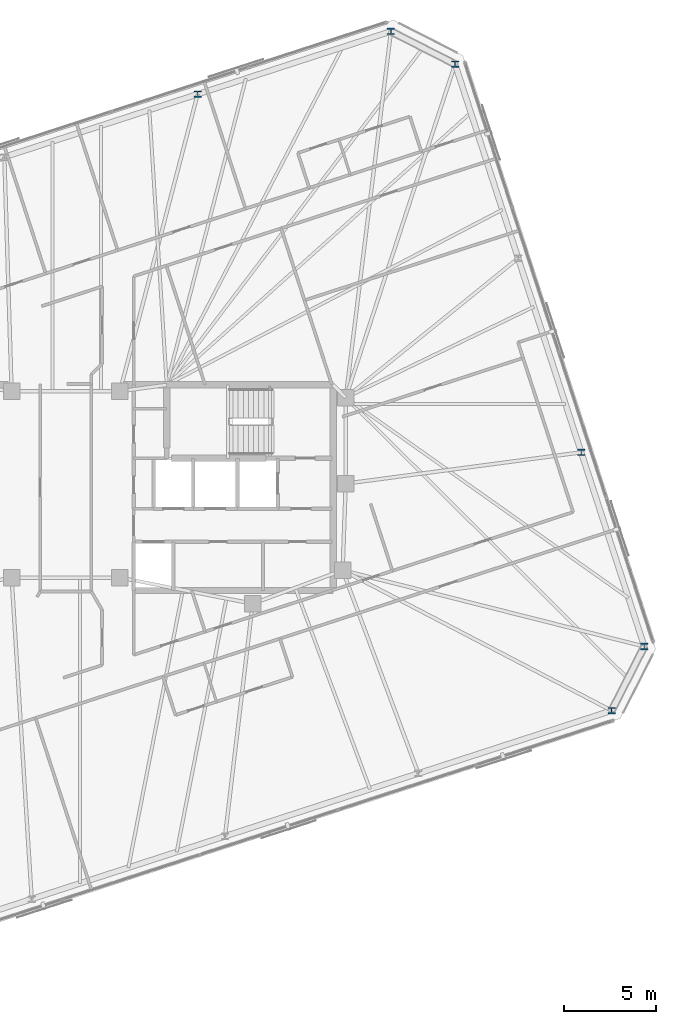
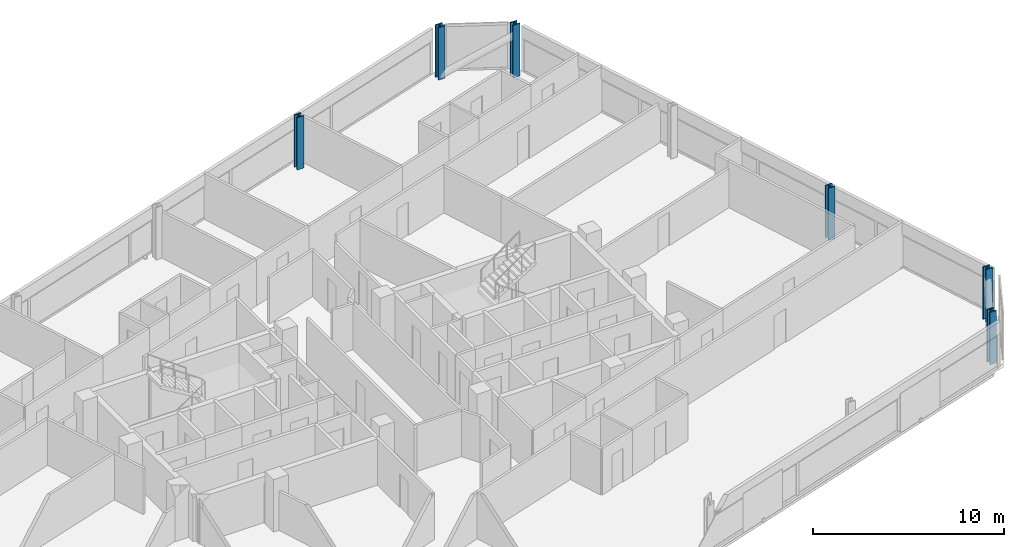
# One storey, part 4 of 19: 6 columns.
"""IFC4 building model written with IfcOpenShell, lengths in metres."""

from ifc_helpers import new_model, si_unit, direction, frame, origin, origin_2d, place, context, subcontext, project, spatial, i_section, extrude, material, material_profile, profile_set, type_object, element, save


model = new_model("IFC4")

# Units and contexts
model_context = context("Model", 3, precision=1e-05, world=origin(), true_north=direction((0.0, 1.0)))
body_context = subcontext(model_context, "Body", "Model", "MODEL_VIEW")
ifc_project = project(units=[si_unit("LENGTHUNIT", "METRE"), si_unit("AREAUNIT", "SQUARE_METRE"), si_unit("VOLUMEUNIT", "CUBIC_METRE"), si_unit("PLANEANGLEUNIT", "RADIAN"), si_unit("MASSUNIT", "GRAM", prefix="KILO")], contexts=[model_context])

# Site, building, storey
site_placement = place(None, origin())
site = spatial("IfcSite", under=ifc_project, at=site_placement, CompositionType="ELEMENT")
building_placement = place(site_placement, origin())
building = spatial("IfcBuilding", under=site, at=building_placement, Name="Menara Jurai Vektor", CompositionType="ELEMENT")
storey_placement = place(building_placement, frame((0.0, 0.0, 251.10009765625)))
storey = spatial("IfcBuildingStorey", under=building, at=storey_placement, Name="L67", CompositionType="ELEMENT", Elevation=251.10009765625)

# Columns
ifc_material = material(Name="Steel S460", Category="steel")
ifc_material_profile = material_profile(ifc_material, i_section(OverallWidth=0.405029296875, OverallDepth=0.35498046875, WebThickness=0.0419921875, FlangeThickness=0.068115234375, FilletRadius=0.014892578125, at=origin_2d()), Name="HD 400x551")
ifc_profile_set = profile_set([ifc_material_profile], Name="Steel S460")
column_type = type_object("IfcColumnType", Name="STR-EXO-BLK4", PredefinedType="COLUMN", material=ifc_profile_set)
for number, where, z_axis, x_axis, name in (
    (1, (29.733642578125, -12.14501953125, 0.0), (0.0, 0.0, 1.0), (1.0, 0.0, 0.0), "Exoskeleton Column BLK4-S6 L67"),
    (2, (31.513427734375, -8.652099609375, 0.0), (0.0, 0.0, 1.0), (1.0, 0.0, 0.0), "Exoskeleton Column BLK4-E1 L67"),
    (3, (28.07763671875, 1.92236328125, 0.0), (0.0, 0.0, 1.0), (1.0, 0.0, 0.0), "Exoskeleton Column BLK4-E2 L67"),
    (4, (21.2060546875, 23.071044921875, 0.0), (0.0, 0.0, 1.0), (1.0, 0.0, 0.0), "Exoskeleton Column BLK4-E4 L67"),
    (5, (17.712890625, 24.85107421875, 0.0), (0.0, 0.0, 1.0), (1.0, 0.0, 0.0), "Exoskeleton Column BLK4-N1 L67"),
    (6, (7.18359375, 21.4296875, 0.0), (0.0, 0.0, 1.0), (1.0, 0.0, 0.0), "Exoskeleton Column BLK4-N2 L67"),
):
    element("IfcColumn", number, at=place(storey_placement, frame(where, z_axis=z_axis, x_axis=x_axis)), inside=storey, type_object=column_type, Name=name, PredefinedType="COLUMN", context=body_context, shape_type="SweptSolid", body=[
        extrude(i_section(OverallWidth=0.405029296875, OverallDepth=0.35498046875, WebThickness=0.0419921875, FlangeThickness=0.068115234375, FilletRadius=0.014892578125, at=origin_2d()), origin(), (0.0, 0.0, 1.0), 3.349853515625),
    ])

save(model, "model.ifc")
